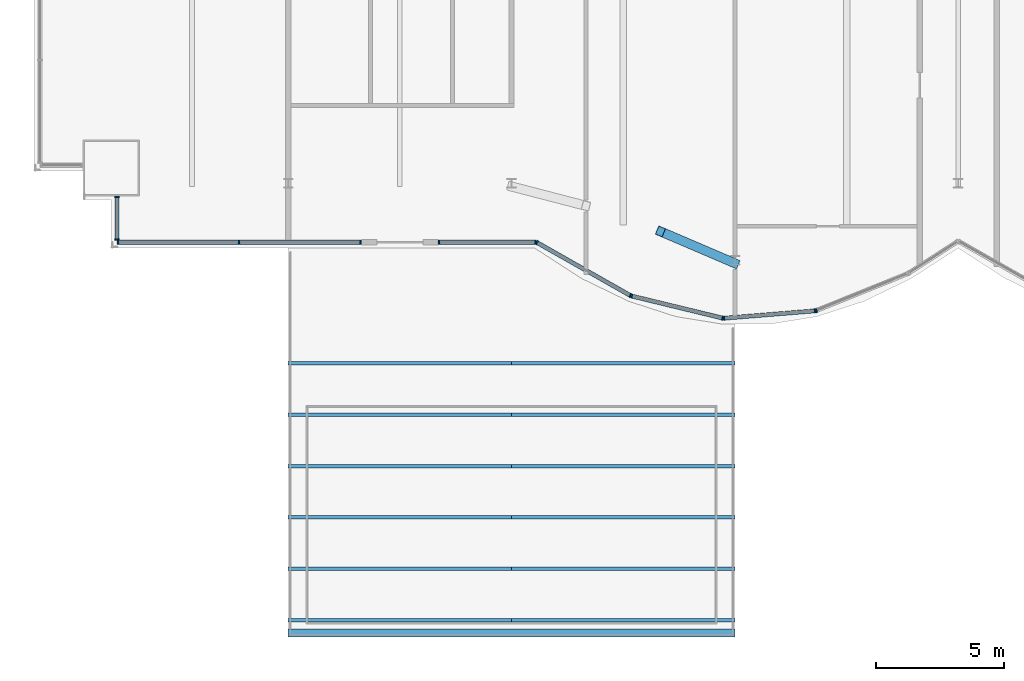
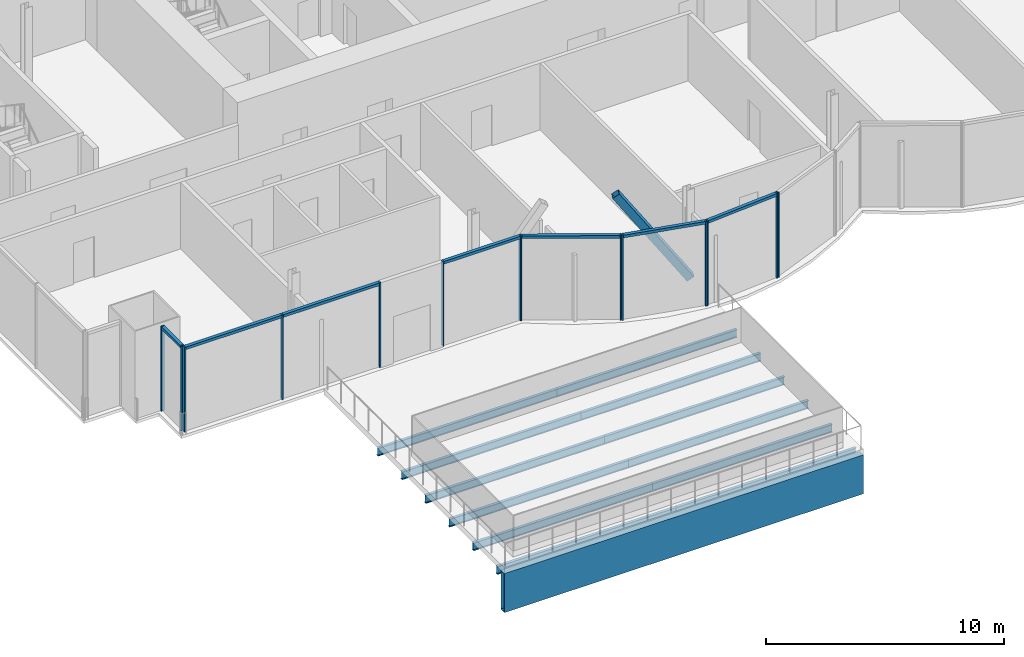
# One storey, part 5 of 22: 23 members, 12 beams, 4 elements without a shape of their own.
"""IFC4 building model written with IfcOpenShell, lengths in metres."""

from ifc_helpers import new_model, si_unit, direction, frame, origin, origin_2d, place, context, subcontext, project, spatial, rectangle, hollow_rectangle, i_section, extrude, material, material_profile, profile_set, type_object, element, aggregate, save


model = new_model("IFC4")

# Units and contexts
model_context = context("Model", 3, precision=1e-05, world=origin(), true_north=direction((0.0, 1.0)))
body_context = subcontext(model_context, "Body", "Model", "MODEL_VIEW")
ifc_project = project(units=[si_unit("LENGTHUNIT", "METRE"), si_unit("AREAUNIT", "SQUARE_METRE"), si_unit("VOLUMEUNIT", "CUBIC_METRE"), si_unit("PLANEANGLEUNIT", "RADIAN"), si_unit("MASSUNIT", "GRAM", prefix="KILO")], contexts=[model_context])

# Site, building, storey
site_placement = place(None, origin())
site = spatial("IfcSite", under=ifc_project, at=site_placement, CompositionType="ELEMENT")
building_placement = place(site_placement, origin())
building = spatial("IfcBuilding", under=site, at=building_placement, Name="Bicima Exchange Tower", CompositionType="ELEMENT")
storey_placement = place(building_placement, frame((0.0, 0.0, 293.0)))
storey = spatial("IfcBuildingStorey", under=building, at=storey_placement, Name="L66", CompositionType="ELEMENT", Elevation=293.0)

# Curtain wall, members
ifc_material_1 = material(Name="Anodised bronze aluminium", Category="aluminium")
curtain_wall_type = type_object("IfcCurtainWallType", Name="Front glass wall", PredefinedType="NOTDEFINED", material=ifc_material_1)
curtain_wall_1_placement = place(storey_placement, origin())
curtain_wall_1 = element("IfcCurtainWall", 1, at=curtain_wall_1_placement, inside=storey, type_object=curtain_wall_type, Name="Front glass wall L66 run 4", PredefinedType="NOTDEFINED")
ifc_material_profile_1 = material_profile(ifc_material_1, rectangle(XDim=0.159912109375, YDim=0.06005859375, at=origin_2d()))
ifc_profile_set_1 = profile_set([ifc_material_profile_1], Name="Anodised bronze aluminium")
member_type_1 = type_object("IfcMemberType", Name="Front glass wall mullion 60 x 160", PredefinedType="MULLION", material=ifc_profile_set_1)
member_1_placement = place(storey_placement, frame((-32.77001953125, -25.367919921875, 0.0), z_axis=(0.0, 0.0, 1.0), x_axis=(1.0, 0.0, 0.0)))
member_1 = element("IfcMember", 2, at=member_1_placement, type_object=member_type_1, Name="Front glass wall mullion 1", PredefinedType="MULLION", context=body_context, shape_type="SweptSolid", body=[
    extrude(rectangle(XDim=0.159912109375, YDim=0.06005859375, at=origin_2d()), origin(), (0.0, 0.0, 1.0), 4.35009765625),
])
member_2_placement = place(storey_placement, frame((-32.77001953125, -27.02001953125, 0.0), z_axis=(0.0, 0.0, 1.0), x_axis=(1.0, 0.0, 0.0)))
member_2 = element("IfcMember", 3, at=member_2_placement, type_object=member_type_1, Name="Front glass wall mullion 2", PredefinedType="MULLION", context=body_context, shape_type="SweptSolid", body=[
    extrude(rectangle(XDim=0.159912109375, YDim=0.06005859375, at=origin_2d()), origin(), (0.0, 0.0, 1.0), 4.35009765625),
])

curtain_wall_2_placement = place(storey_placement, origin())
curtain_wall_2 = element("IfcCurtainWall", 4, at=curtain_wall_2_placement, inside=storey, type_object=curtain_wall_type, Name="Front glass wall L66 run 6", PredefinedType="NOTDEFINED")
member_3_placement = place(storey_placement, frame((-16.406005859375, -27.144775390625, 0.0), z_axis=(0.0, 0.0, 1.0), x_axis=(0.493395449343, 0.869805110681, 0.0)))
member_3 = element("IfcMember", 5, at=member_3_placement, type_object=member_type_1, Name="Front glass wall mullion 1", PredefinedType="MULLION", context=body_context, shape_type="SweptSolid", body=[
    extrude(rectangle(XDim=0.159912109375, YDim=0.06005859375, at=origin_2d()), origin(), (0.0, 0.0, 1.0), 4.35009765625),
])
member_4_placement = place(storey_placement, frame((-12.7734375, -29.205322265625, 0.0), z_axis=(0.0, 0.0, 1.0), x_axis=(0.493395449343, 0.869805110681, 0.0)))
member_4 = element("IfcMember", 6, at=member_4_placement, type_object=member_type_1, Name="Front glass wall mullion 2", PredefinedType="MULLION", context=body_context, shape_type="SweptSolid", body=[
    extrude(rectangle(XDim=0.159912109375, YDim=0.06005859375, at=origin_2d()), origin(), (0.0, 0.0, 1.0), 4.35009765625),
])
member_5_placement = place(storey_placement, frame((-12.718017578125, -29.227294921875, 0.0), z_axis=(0.0, 0.0, 1.0), x_axis=(0.235681529503, 0.971830343553, 0.0)))
member_5 = element("IfcMember", 7, at=member_5_placement, type_object=member_type_1, Name="Front glass wall mullion 1", PredefinedType="MULLION", context=body_context, shape_type="SweptSolid", body=[
    extrude(rectangle(XDim=0.159912109375, YDim=0.06005859375, at=origin_2d()), origin(), (0.0, 0.0, 1.0), 4.35009765625),
])
member_6_placement = place(storey_placement, frame((-9.177490234375, -30.0859375, 0.0), z_axis=(0.0, 0.0, 1.0), x_axis=(0.235681529503, 0.971830343553, 0.0)))
member_6 = element("IfcMember", 8, at=member_6_placement, type_object=member_type_1, Name="Front glass wall mullion 2", PredefinedType="MULLION", context=body_context, shape_type="SweptSolid", body=[
    extrude(rectangle(XDim=0.159912109375, YDim=0.06005859375, at=origin_2d()), origin(), (0.0, 0.0, 1.0), 4.35009765625),
])
member_7_placement = place(storey_placement, frame((-9.118408203125, -30.090576171875, 0.0), z_axis=(0.0, 0.0, 1.0), x_axis=(-0.080588612633, 0.99674744821, 0.0)))
member_7 = element("IfcMember", 9, at=member_7_placement, type_object=member_type_1, Name="Front glass wall mullion 1", PredefinedType="MULLION", context=body_context, shape_type="SweptSolid", body=[
    extrude(rectangle(XDim=0.159912109375, YDim=0.06005859375, at=origin_2d()), origin(), (0.0, 0.0, 1.0), 4.35009765625),
])
member_8_placement = place(storey_placement, frame((-5.583984375, -29.8046875, 0.0), z_axis=(0.0, 0.0, 1.0), x_axis=(-0.080588612633, 0.99674744821, 0.0)))
member_8 = element("IfcMember", 10, at=member_8_placement, type_object=member_type_1, Name="Front glass wall mullion 2", PredefinedType="MULLION", context=body_context, shape_type="SweptSolid", body=[
    extrude(rectangle(XDim=0.159912109375, YDim=0.06005859375, at=origin_2d()), origin(), (0.0, 0.0, 1.0), 4.35009765625),
])
member_9_placement = place(storey_placement, frame((-5.526123046875, -29.791259765625, 0.0), z_axis=(0.0, 0.0, 1.0), x_axis=(-0.374705304, 0.92714396679, 0.0)))
member_9 = element("IfcMember", 11, at=member_9_placement, type_object=member_type_1, Name="Front glass wall mullion 1", PredefinedType="MULLION", context=body_context, shape_type="SweptSolid", body=[
    extrude(rectangle(XDim=0.159912109375, YDim=0.06005859375, at=origin_2d()), origin(), (0.0, 0.0, 1.0), 4.35009765625),
])

curtain_wall_3_placement = place(storey_placement, origin())
curtain_wall_3 = element("IfcCurtainWall", 12, at=curtain_wall_3_placement, inside=storey, type_object=curtain_wall_type, Name="Front glass wall L66 run 1.1", PredefinedType="NOTDEFINED")
member_10_placement = place(storey_placement, frame((-32.739990234375, -27.1298828125, 0.0), z_axis=(0.0, 0.0, 1.0), x_axis=(0.0, 1.0, 0.0)))
member_10 = element("IfcMember", 13, at=member_10_placement, type_object=member_type_1, Name="Front glass wall mullion 1", PredefinedType="MULLION", context=body_context, shape_type="SweptSolid", body=[
    extrude(rectangle(XDim=0.159912109375, YDim=0.06005859375, at=origin_2d()), origin(), (0.0, 0.0, 1.0), 4.35009765625),
])
member_11_placement = place(storey_placement, frame((-28.010009765625, -27.1298828125, 0.0), z_axis=(0.0, 0.0, 1.0), x_axis=(0.0, 1.0, 0.0)))
member_11 = element("IfcMember", 14, at=member_11_placement, type_object=member_type_1, Name="Front glass wall mullion 2", PredefinedType="MULLION", context=body_context, shape_type="SweptSolid", body=[
    extrude(rectangle(XDim=0.159912109375, YDim=0.06005859375, at=origin_2d()), origin(), (0.0, 0.0, 1.0), 4.35009765625),
])
member_12_placement = place(storey_placement, frame((-23.280029296875, -27.1298828125, 0.0), z_axis=(0.0, 0.0, 1.0), x_axis=(0.0, 1.0, 0.0)))
member_12 = element("IfcMember", 15, at=member_12_placement, type_object=member_type_1, Name="Front glass wall mullion 3", PredefinedType="MULLION", context=body_context, shape_type="SweptSolid", body=[
    extrude(rectangle(XDim=0.159912109375, YDim=0.06005859375, at=origin_2d()), origin(), (0.0, 0.0, 1.0), 4.35009765625),
])

curtain_wall_4_placement = place(storey_placement, origin())
curtain_wall_4 = element("IfcCurtainWall", 16, at=curtain_wall_4_placement, inside=storey, type_object=curtain_wall_type, Name="Front glass wall L66 run 1.2", PredefinedType="NOTDEFINED")
member_13_placement = place(storey_placement, frame((-20.219970703125, -27.1298828125, 0.0), z_axis=(0.0, 0.0, 1.0), x_axis=(0.0, 1.0, 0.0)))
member_13 = element("IfcMember", 17, at=member_13_placement, type_object=member_type_1, Name="Front glass wall mullion 1", PredefinedType="MULLION", context=body_context, shape_type="SweptSolid", body=[
    extrude(rectangle(XDim=0.159912109375, YDim=0.06005859375, at=origin_2d()), origin(), (0.0, 0.0, 1.0), 4.35009765625),
])
member_14_placement = place(storey_placement, frame((-16.462158203125, -27.1298828125, 0.0), z_axis=(0.0, 0.0, 1.0), x_axis=(0.0, 1.0, 0.0)))
member_14 = element("IfcMember", 18, at=member_14_placement, type_object=member_type_1, Name="Front glass wall mullion 2", PredefinedType="MULLION", context=body_context, shape_type="SweptSolid", body=[
    extrude(rectangle(XDim=0.159912109375, YDim=0.06005859375, at=origin_2d()), origin(), (0.0, 0.0, 1.0), 4.35009765625),
])

# Member
ifc_material_profile_2 = material_profile(ifc_material_1, rectangle(XDim=0.159912109375, YDim=0.139892578125, at=origin_2d()))
ifc_profile_set_2 = profile_set([ifc_material_profile_2], Name="Anodised bronze aluminium")
member_type_2 = type_object("IfcMemberType", Name="Front glass wall transom 140 x 160", PredefinedType="USERDEFINED", material=ifc_profile_set_2)
member_15_placement = place(storey_placement, frame((-32.77001953125, -25.39794921875, 4.280029296875), z_axis=(0.0, -1.0, 0.0), x_axis=(1.0, 0.0, 0.0)))
member_15 = element("IfcMember", 19, at=member_15_placement, type_object=member_type_2, Name="Front glass wall transom 1.1", ObjectType="TRANSOM", PredefinedType="USERDEFINED", context=body_context, shape_type="SweptSolid", body=[
    extrude(rectangle(XDim=0.159912109375, YDim=0.139892578125, at=origin_2d()), origin(), (0.0, 0.0, 1.0), 1.592041015625),
])

aggregate(curtain_wall_1, [member_1, member_2, member_15])

member_16_placement = place(storey_placement, frame((-16.3798828125, -27.15966796875, 4.280029296875), z_axis=(0.869797371721, -0.49340909208, 0.0), x_axis=(0.49340909208, 0.869797371721, 0.0)))
member_16 = element("IfcMember", 20, at=member_16_placement, type_object=member_type_2, Name="Front glass wall transom 1.1", ObjectType="TRANSOM", PredefinedType="USERDEFINED", context=body_context, shape_type="SweptSolid", body=[
    extrude(rectangle(XDim=0.159912109375, YDim=0.139892578125, at=origin_2d()), origin(), (0.0, 0.0, 1.0), 4.1162109375),
])

member_17_placement = place(storey_placement, frame((-12.68896484375, -29.234375, 4.280029296875), z_axis=(0.971833557815, -0.235668275132, 0.0), x_axis=(0.235668275132, 0.971833557815, 0.0)))
member_17 = element("IfcMember", 21, at=member_17_placement, type_object=member_type_2, Name="Front glass wall transom 1.1", ObjectType="TRANSOM", PredefinedType="USERDEFINED", context=body_context, shape_type="SweptSolid", body=[
    extrude(rectangle(XDim=0.159912109375, YDim=0.139892578125, at=origin_2d()), origin(), (0.0, 0.0, 1.0), 3.583251953125),
])

member_18_placement = place(storey_placement, frame((-9.08837890625, -30.088134765625, 4.280029296875), z_axis=(0.9967456465, 0.080610893699, 0.0), x_axis=(-0.080610893699, 0.9967456465, 0.0)))
member_18 = element("IfcMember", 22, at=member_18_placement, type_object=member_type_2, Name="Front glass wall transom 1.1", ObjectType="TRANSOM", PredefinedType="USERDEFINED", context=body_context, shape_type="SweptSolid", body=[
    extrude(rectangle(XDim=0.159912109375, YDim=0.139892578125, at=origin_2d()), origin(), (0.0, 0.0, 1.0), 3.48583984375),
])

aggregate(curtain_wall_2, [member_3, member_4, member_16, member_5, member_6, member_17, member_7, member_8, member_18, member_9])

member_19_placement = place(storey_placement, frame((-32.7099609375, -27.1298828125, 4.280029296875), z_axis=(1.0, 0.0, 0.0), x_axis=(0.0, 1.0, 0.0)))
member_19 = element("IfcMember", 23, at=member_19_placement, type_object=member_type_2, Name="Front glass wall transom 1.1", ObjectType="TRANSOM", PredefinedType="USERDEFINED", context=body_context, shape_type="SweptSolid", body=[
    extrude(rectangle(XDim=0.159912109375, YDim=0.139892578125, at=origin_2d()), origin(), (0.0, 0.0, 1.0), 4.669921875),
])

member_20_placement = place(storey_placement, frame((-27.97998046875, -27.1298828125, 4.280029296875), z_axis=(1.0, 0.0, 0.0), x_axis=(0.0, 1.0, 0.0)))
member_20 = element("IfcMember", 24, at=member_20_placement, type_object=member_type_2, Name="Front glass wall transom 2.1", ObjectType="TRANSOM", PredefinedType="USERDEFINED", context=body_context, shape_type="SweptSolid", body=[
    extrude(rectangle(XDim=0.159912109375, YDim=0.139892578125, at=origin_2d()), origin(), (0.0, 0.0, 1.0), 4.669921875),
])

aggregate(curtain_wall_3, [member_10, member_11, member_12, member_19, member_20])

member_21_placement = place(storey_placement, frame((-20.18994140625, -27.1298828125, 4.280029296875), z_axis=(1.0, 0.0, 0.0), x_axis=(0.0, 1.0, 0.0)))
member_21 = element("IfcMember", 25, at=member_21_placement, type_object=member_type_2, Name="Front glass wall transom 1.1", ObjectType="TRANSOM", PredefinedType="USERDEFINED", context=body_context, shape_type="SweptSolid", body=[
    extrude(rectangle(XDim=0.159912109375, YDim=0.139892578125, at=origin_2d()), origin(), (0.0, 0.0, 1.0), 3.69775390625),
])

aggregate(curtain_wall_4, [member_13, member_14, member_21])

ifc_material_2 = material(Name="Steel ASTM A572 Gr 50", Category="steel")
ifc_material_profile_3 = material_profile(ifc_material_2, hollow_rectangle(XDim=0.355712890625, YDim=0.355712890625, WallThickness=0.01171875, at=origin_2d()))
ifc_profile_set_3 = profile_set([ifc_material_profile_3], Name="Steel ASTM A572 Gr 50")
member_type_3 = type_object("IfcMemberType", Name="Mega brace HSS14x14x1/2", PredefinedType="BRACE", material=ifc_profile_set_3)
member_22_placement = place(storey_placement, frame((-8.699951171875, -27.951171875, 0.0), z_axis=(-0.527722980782, 0.225856017703, 0.818839126338), x_axis=(-0.393461568723, -0.919341065078, 0.0)))
element("IfcMember", 26, at=member_22_placement, inside=storey, type_object=member_type_3, Name="Mega brace front", PredefinedType="BRACE", context=body_context, shape_type="SweptSolid", body=[
    extrude(hollow_rectangle(XDim=0.355712890625, YDim=0.355712890625, WallThickness=0.01171875, at=origin_2d()), origin(), (0.0, 0.0, 1.0), 5.49560546875),
])

# Beams
ifc_material_3 = material(Name="Steel ASTM A992 Gr 50", Category="steel")
ifc_material_profile_4 = material_profile(ifc_material_3, i_section(OverallWidth=0.140380859375, OverallDepth=0.40380859375, WebThickness=0.007080078125, FlangeThickness=0.01123046875, at=origin_2d()))
ifc_profile_set_4 = profile_set([ifc_material_profile_4], Name="Steel ASTM A992 Gr 50")
beam_type = type_object("IfcBeamType", Name="Pool deck beam W16x31", PredefinedType="JOIST", material=ifc_profile_set_4)
beam_1_placement = place(storey_placement, frame((-26.10009765625, -41.85107421875, -0.501953125), z_axis=(1.0, 0.0, 0.0), x_axis=(0.0, 1.0, 0.0)))
element("IfcBeam", 27, at=beam_1_placement, inside=storey, type_object=beam_type, Name="Pool deck beam", PredefinedType="JOIST", context=body_context, shape_type="SweptSolid", body=[
    extrude(i_section(OverallWidth=0.140380859375, OverallDepth=0.40380859375, WebThickness=0.007080078125, FlangeThickness=0.01123046875, at=origin_2d()), origin(), (0.0, 0.0, 1.0), 8.7001953125),
])
beam_2_placement = place(storey_placement, frame((-17.39990234375, -41.85107421875, -0.501953125), z_axis=(1.0, 0.0, 0.0), x_axis=(0.0, 1.0, 0.0)))
element("IfcBeam", 28, at=beam_2_placement, inside=storey, type_object=beam_type, Name="Pool deck beam", PredefinedType="JOIST", context=body_context, shape_type="SweptSolid", body=[
    extrude(i_section(OverallWidth=0.140380859375, OverallDepth=0.40380859375, WebThickness=0.007080078125, FlangeThickness=0.01123046875, at=origin_2d()), origin(), (0.0, 0.0, 1.0), 8.699951171875),
])
beam_3_placement = place(storey_placement, frame((-26.10009765625, -39.85107421875, -0.501953125), z_axis=(1.0, 0.0, 0.0), x_axis=(0.0, 1.0, 0.0)))
element("IfcBeam", 29, at=beam_3_placement, inside=storey, type_object=beam_type, Name="Pool deck beam", PredefinedType="JOIST", context=body_context, shape_type="SweptSolid", body=[
    extrude(i_section(OverallWidth=0.140380859375, OverallDepth=0.40380859375, WebThickness=0.007080078125, FlangeThickness=0.01123046875, at=origin_2d()), origin(), (0.0, 0.0, 1.0), 8.7001953125),
])
beam_4_placement = place(storey_placement, frame((-17.39990234375, -39.85107421875, -0.501953125), z_axis=(1.0, 0.0, 0.0), x_axis=(0.0, 1.0, 0.0)))
element("IfcBeam", 30, at=beam_4_placement, inside=storey, type_object=beam_type, Name="Pool deck beam", PredefinedType="JOIST", context=body_context, shape_type="SweptSolid", body=[
    extrude(i_section(OverallWidth=0.140380859375, OverallDepth=0.40380859375, WebThickness=0.007080078125, FlangeThickness=0.01123046875, at=origin_2d()), origin(), (0.0, 0.0, 1.0), 8.699951171875),
])
beam_5_placement = place(storey_placement, frame((-26.10009765625, -37.85107421875, -0.501953125), z_axis=(1.0, 0.0, 0.0), x_axis=(0.0, 1.0, 0.0)))
element("IfcBeam", 31, at=beam_5_placement, inside=storey, type_object=beam_type, Name="Pool deck beam", PredefinedType="JOIST", context=body_context, shape_type="SweptSolid", body=[
    extrude(i_section(OverallWidth=0.140380859375, OverallDepth=0.40380859375, WebThickness=0.007080078125, FlangeThickness=0.01123046875, at=origin_2d()), origin(), (0.0, 0.0, 1.0), 8.7001953125),
])
beam_6_placement = place(storey_placement, frame((-17.39990234375, -37.85107421875, -0.501953125), z_axis=(1.0, 0.0, 0.0), x_axis=(0.0, 1.0, 0.0)))
element("IfcBeam", 32, at=beam_6_placement, inside=storey, type_object=beam_type, Name="Pool deck beam", PredefinedType="JOIST", context=body_context, shape_type="SweptSolid", body=[
    extrude(i_section(OverallWidth=0.140380859375, OverallDepth=0.40380859375, WebThickness=0.007080078125, FlangeThickness=0.01123046875, at=origin_2d()), origin(), (0.0, 0.0, 1.0), 8.699951171875),
])
beam_7_placement = place(storey_placement, frame((-26.10009765625, -35.85107421875, -0.501953125), z_axis=(1.0, 0.0, 0.0), x_axis=(0.0, 1.0, 0.0)))
element("IfcBeam", 33, at=beam_7_placement, inside=storey, type_object=beam_type, Name="Pool deck beam", PredefinedType="JOIST", context=body_context, shape_type="SweptSolid", body=[
    extrude(i_section(OverallWidth=0.140380859375, OverallDepth=0.40380859375, WebThickness=0.007080078125, FlangeThickness=0.01123046875, at=origin_2d()), origin(), (0.0, 0.0, 1.0), 8.7001953125),
])
beam_8_placement = place(storey_placement, frame((-17.39990234375, -35.85107421875, -0.501953125), z_axis=(1.0, 0.0, 0.0), x_axis=(0.0, 1.0, 0.0)))
element("IfcBeam", 34, at=beam_8_placement, inside=storey, type_object=beam_type, Name="Pool deck beam", PredefinedType="JOIST", context=body_context, shape_type="SweptSolid", body=[
    extrude(i_section(OverallWidth=0.140380859375, OverallDepth=0.40380859375, WebThickness=0.007080078125, FlangeThickness=0.01123046875, at=origin_2d()), origin(), (0.0, 0.0, 1.0), 8.699951171875),
])
beam_9_placement = place(storey_placement, frame((-26.10009765625, -33.85107421875, -0.501953125), z_axis=(1.0, 0.0, 0.0), x_axis=(0.0, 1.0, 0.0)))
element("IfcBeam", 35, at=beam_9_placement, inside=storey, type_object=beam_type, Name="Pool deck beam", PredefinedType="JOIST", context=body_context, shape_type="SweptSolid", body=[
    extrude(i_section(OverallWidth=0.140380859375, OverallDepth=0.40380859375, WebThickness=0.007080078125, FlangeThickness=0.01123046875, at=origin_2d()), origin(), (0.0, 0.0, 1.0), 8.7001953125),
])
beam_10_placement = place(storey_placement, frame((-17.39990234375, -33.85107421875, -0.501953125), z_axis=(1.0, 0.0, 0.0), x_axis=(0.0, 1.0, 0.0)))
element("IfcBeam", 36, at=beam_10_placement, inside=storey, type_object=beam_type, Name="Pool deck beam", PredefinedType="JOIST", context=body_context, shape_type="SweptSolid", body=[
    extrude(i_section(OverallWidth=0.140380859375, OverallDepth=0.40380859375, WebThickness=0.007080078125, FlangeThickness=0.01123046875, at=origin_2d()), origin(), (0.0, 0.0, 1.0), 8.699951171875),
])
beam_11_placement = place(storey_placement, frame((-26.10009765625, -31.85107421875, -0.501953125), z_axis=(1.0, 0.0, 0.0), x_axis=(0.0, 1.0, 0.0)))
element("IfcBeam", 37, at=beam_11_placement, inside=storey, type_object=beam_type, Name="Pool deck beam", PredefinedType="JOIST", context=body_context, shape_type="SweptSolid", body=[
    extrude(i_section(OverallWidth=0.140380859375, OverallDepth=0.40380859375, WebThickness=0.007080078125, FlangeThickness=0.01123046875, at=origin_2d()), origin(), (0.0, 0.0, 1.0), 8.7001953125),
])
beam_12_placement = place(storey_placement, frame((-17.39990234375, -31.85107421875, -0.501953125), z_axis=(1.0, 0.0, 0.0), x_axis=(0.0, 1.0, 0.0)))
element("IfcBeam", 38, at=beam_12_placement, inside=storey, type_object=beam_type, Name="Pool deck beam", PredefinedType="JOIST", context=body_context, shape_type="SweptSolid", body=[
    extrude(i_section(OverallWidth=0.140380859375, OverallDepth=0.40380859375, WebThickness=0.007080078125, FlangeThickness=0.01123046875, at=origin_2d()), origin(), (0.0, 0.0, 1.0), 8.699951171875),
])

# Member
ifc_material_profile_5 = material_profile(ifc_material_2, hollow_rectangle(XDim=0.300048828125, YDim=2.0, WallThickness=0.030029296875, at=origin_2d()))
ifc_profile_set_5 = profile_set([ifc_material_profile_5], Name="Steel ASTM A572 Gr 50")
member_type_4 = type_object("IfcMemberType", Name="Pool edge fascia BOX 300x2000x30", PredefinedType="CHORD", material=ifc_profile_set_5)
member_23_placement = place(storey_placement, frame((-26.10009765625, -42.35107421875, -1.300048828125), z_axis=(1.0, 0.0, 0.0), x_axis=(0.0, 1.0, 0.0)))
element("IfcMember", 39, at=member_23_placement, inside=storey, type_object=member_type_4, Name="Pool edge fascia", PredefinedType="CHORD", context=body_context, shape_type="SweptSolid", body=[
    extrude(hollow_rectangle(XDim=0.300048828125, YDim=2.0, WallThickness=0.030029296875, at=origin_2d()), origin(), (0.0, 0.0, 1.0), 17.400146484375),
])

save(model, "model.ifc")
